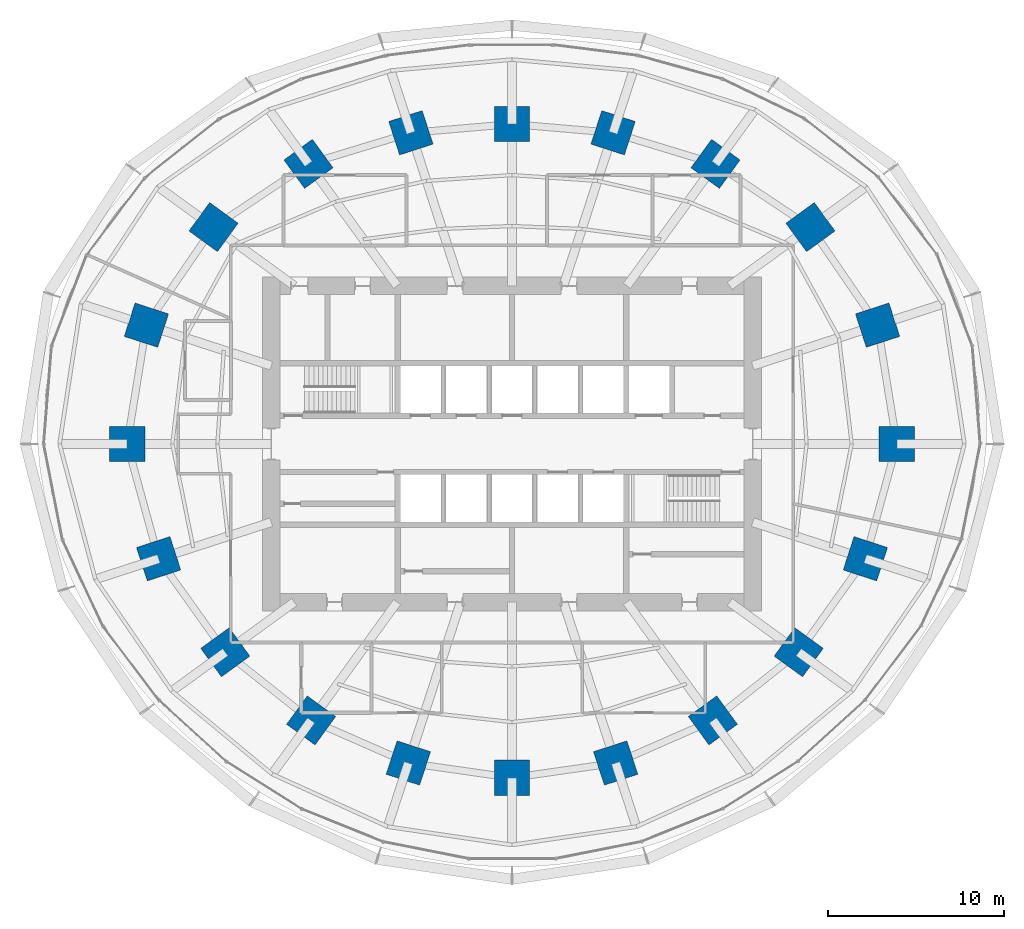
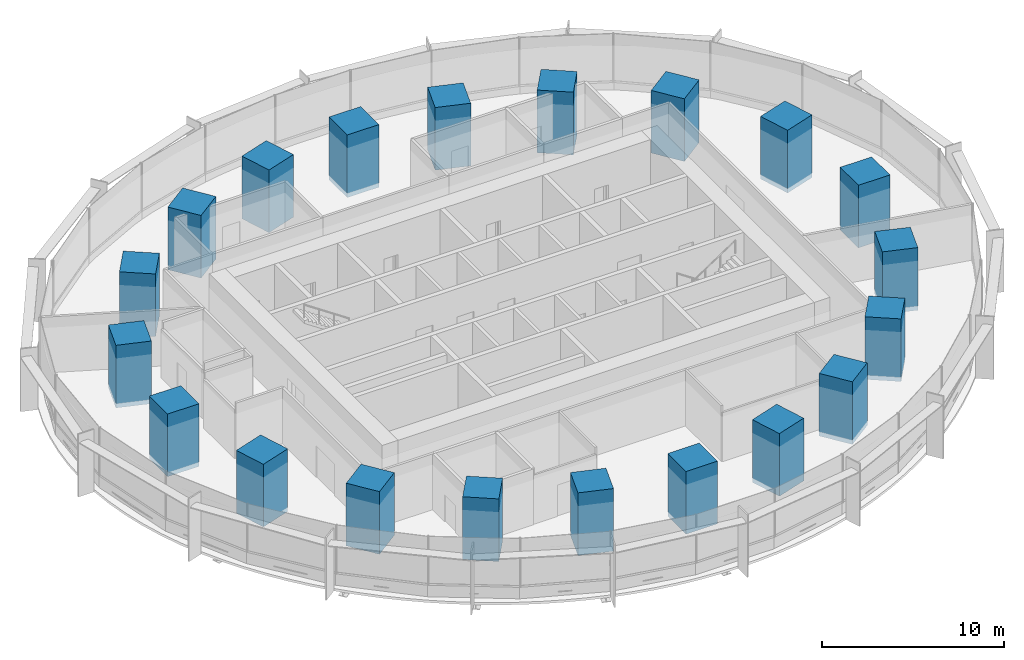
# One storey, part 1 of 15: 20 columns.
"""IFC4 building model written with IfcOpenShell, lengths in metres."""

import ifcopenshell
import ifcopenshell.guid

model = None  # the IFC model being written
_history = None  # IfcOwnerHistory: only IFC2X3 demands one
_inside = {}  # id of a spatial element -> (the spatial element, [elements in it])
_under = {}  # id of a project, library or spatial element -> (it, [spatial elements below it])
_declared = {}  # id of a project -> (the project, [libraries it declares])
_typed = {}  # id of a type object -> (the type object, [elements of that type])
_made_of = {}  # id of a material, layer set ... -> (it, [elements and type objects made of it])


def new_model(schema):
    """Start an empty IFC model of exactly this schema.

    Asked for "IFC4X3", IfcOpenShell would pick the latest addendum, in which some entities
    have other attributes; the version numbers below select the first issue.
    IFC2X3 requires an IfcOwnerHistory on every rooted entity: one is made here for all.
    """
    global model, _history
    if schema == "IFC4X3":
        model = ifcopenshell.file(schema_version=(4, 3, 0, 0))
    else:
        model = ifcopenshell.file(schema=schema)
    _inside.clear()
    _under.clear()
    _declared.clear()
    _typed.clear()
    _made_of.clear()
    _history = None
    if model.schema == "IFC2X3":
        org = make("IfcOrganization", Name="unknown")
        user = make(
            "IfcPersonAndOrganization",
            ThePerson=make("IfcPerson", FamilyName="unknown"),
            TheOrganization=org,
        )
        app = make(
            "IfcApplication",
            ApplicationDeveloper=org,
            Version="unknown",
            ApplicationFullName="unknown",
            ApplicationIdentifier="unknown",
        )
        _history = make(
            "IfcOwnerHistory",
            OwningUser=user,
            OwningApplication=app,
            ChangeAction="ADDED",
            CreationDate=0,
        )
    return model


def make(cls, **values):
    """One entity of the class cls with the attributes given. An attribute that is None is left unset."""
    return model.create_entity(
        cls, **{name: value for name, value in values.items() if value is not None}
    )


def rooted(cls, **values):
    """An entity with a GlobalId (a new one), such as an element, a storey or a relation."""
    return make(cls, GlobalId=ifcopenshell.guid.new(), OwnerHistory=_history, **values)


def si_unit(unit_type, name, prefix=None):
    """IfcSIUnit, for example si_unit("LENGTHUNIT", "METRE", prefix="MILLI")."""
    return make("IfcSIUnit", UnitType=unit_type, Prefix=prefix, Name=name)


def assignment(units):
    """IfcUnitAssignment: the units of a project."""
    return None if units is None else make("IfcUnitAssignment", Units=units)


def point(xyz):
    """IfcCartesianPoint."""
    return None if xyz is None else make("IfcCartesianPoint", Coordinates=xyz)


def direction(xyz):
    """IfcDirection."""
    return None if xyz is None else make("IfcDirection", DirectionRatios=xyz)


def frame(location, z_axis=None, x_axis=None):
    """IfcAxis2Placement3D, a coordinate frame: its origin and axes. An axis left out is left unset."""
    return make(
        "IfcAxis2Placement3D",
        Location=point(location),
        Axis=direction(z_axis),
        RefDirection=direction(x_axis),
    )


def frame_2d(location, x_axis=None):
    """IfcAxis2Placement2D, a coordinate frame in the plane: its origin and x axis."""
    return make(
        "IfcAxis2Placement2D", Location=point(location), RefDirection=direction(x_axis)
    )


def origin():
    """The frame at (0, 0, 0) with its axes left unset."""
    return frame((0.0, 0.0, 0.0))


def origin_2d():
    """The frame at (0, 0) in the plane with its x axis left unset."""
    return frame_2d((0.0, 0.0))


def place(relative_to, where):
    """IfcLocalPlacement: puts the frame where relative to a parent placement (None: the world)."""
    return make(
        "IfcLocalPlacement", PlacementRelTo=relative_to, RelativePlacement=where
    )


def context(
    kind, dimensions, precision=None, world=None, true_north=None, identifier=None
):
    """IfcGeometricRepresentationContext, for example the 3D "Model" context."""
    return make(
        "IfcGeometricRepresentationContext",
        ContextIdentifier=identifier,
        ContextType=kind,
        CoordinateSpaceDimension=dimensions,
        Precision=precision,
        WorldCoordinateSystem=world,
        TrueNorth=true_north,
    )


def subcontext(parent, identifier, kind, view, scale=None):
    """IfcGeometricRepresentationSubContext, for example "Body" below "Model"."""
    return make(
        "IfcGeometricRepresentationSubContext",
        ContextIdentifier=identifier,
        ContextType=kind,
        ParentContext=parent,
        TargetScale=scale,
        TargetView=view,
    )


def project(units=None, contexts=None):
    """IfcProject with its units and contexts."""
    return rooted(
        "IfcProject",
        Name="project",
        RepresentationContexts=contexts,
        UnitsInContext=assignment(units),
    )


def spatial(cls, under=None, at=None, **own):
    """A site, building, storey or space (cls), placed at a placement, below another one or the project."""
    s = rooted(cls, ObjectPlacement=at, **own)
    if under is not None:
        _under.setdefault(under.id(), (under, []))[1].append(s)
    return s


def profile(cls, at=None, kind="AREA", **sizes):
    """A parametric profile (cls). Its sizes go by their IFC names, for example OverallWidth=200.0."""
    return make(cls, ProfileType=kind, Position=at, **sizes)


def rectangle(**sizes):
    """IfcRectangleProfileDef."""
    return profile("IfcRectangleProfileDef", **sizes)


def extrude(swept, where, along, depth):
    """IfcExtrudedAreaSolid: the profile swept, set in the frame where, extruded along a direction by depth."""
    return make(
        "IfcExtrudedAreaSolid",
        SweptArea=swept,
        Position=where,
        ExtrudedDirection=direction(along),
        Depth=depth,
    )


def shape(context_of_items, identifier, shape_type, items):
    """IfcShapeRepresentation: the items that make up one representation, for example the "Body"."""
    return make(
        "IfcShapeRepresentation",
        ContextOfItems=context_of_items,
        RepresentationIdentifier=identifier,
        RepresentationType=shape_type,
        Items=items,
    )


def material(Name=None, Category=None):
    """IfcMaterial."""
    return make("IfcMaterial", Name=Name, Category=Category)


def material_profile(
    of_material, cross_section, Name=None, Category=None, Priority=None
):
    """IfcMaterialProfile: a cross section and its material."""
    return make(
        "IfcMaterialProfile",
        Name=Name,
        Material=of_material,
        Profile=cross_section,
        Priority=Priority,
        Category=Category,
    )


def profile_set(profiles, Name=None, composite=None):
    """IfcMaterialProfileSet."""
    return make(
        "IfcMaterialProfileSet",
        Name=Name,
        MaterialProfiles=profiles,
        CompositeProfile=composite,
    )


def made_of(thing, what):
    """Note that an element or type object is made of a material, layer set ...; save() writes the relation."""
    if what is not None:
        _made_of.setdefault(what.id(), (what, []))[1].append(thing)
    return thing


def type_object(cls, material=None, **own):
    """A type object (cls), such as IfcWallType, which elements share."""
    return made_of(rooted(cls, **own), material)


def element(
    cls,
    number,
    at=None,
    inside=None,
    cuts=None,
    type_object=None,
    material=None,
    context=None,
    identifier="Body",
    shape_type=None,
    held_by="IfcProductDefinitionShape",
    body=None,
    shapes=None,
    **own,
):
    """One element of the class cls, such as IfcWall. Its Tag is "e" and its number.

    at: its placement. inside: the storey or other place that contains it. cuts: it is an
    opening in that element (IfcRelVoidsElement). A single representation is given by context,
    identifier, shape_type and body (its items); several are given by shapes. held_by: the class
    of the entity that holds the representations. save() writes the other relations.
    """
    e = rooted(cls, Tag="e%d" % number, ObjectPlacement=at, **own)
    if body is not None:
        shapes = [shape(context, identifier, shape_type, body)]
    if shapes is not None:
        e.Representation = make(held_by, Representations=shapes)
    if inside is not None:
        _inside.setdefault(inside.id(), (inside, []))[1].append(e)
    if cuts is not None:
        rooted(
            "IfcRelVoidsElement", RelatingBuildingElement=cuts, RelatedOpeningElement=e
        )
    if type_object is not None:
        _typed.setdefault(type_object.id(), (type_object, []))[1].append(e)
    return made_of(e, material)


def aggregate(whole, parts):
    """IfcRelAggregates: a whole, such as a stair, and the parts it consists of."""
    return rooted("IfcRelAggregates", RelatingObject=whole, RelatedObjects=parts)


def save(model, path):
    """Write the relations noted so far, then the file.

    IfcRelAggregates (storeys below a building ...), IfcRelContainedInSpatialStructure (elements
    in a storey), IfcRelDefinesByType, IfcRelAssociatesMaterial and IfcRelDeclares: one each for
    every whole, place, type object, material and project.
    """
    for whole, parts in _under.values():
        aggregate(whole, parts)
    for where, things in _inside.values():
        rooted(
            "IfcRelContainedInSpatialStructure",
            RelatedElements=things,
            RelatingStructure=where,
        )
    for kind, things in _typed.values():
        rooted("IfcRelDefinesByType", RelatedObjects=things, RelatingType=kind)
    for what, things in _made_of.values():
        rooted("IfcRelAssociatesMaterial", RelatedObjects=things, RelatingMaterial=what)
    for by, libraries in _declared.values():
        rooted("IfcRelDeclares", RelatingContext=by, RelatedDefinitions=libraries)
    model.write(path)


model = new_model("IFC4")

# Units and contexts
model_context = context("Model", 3, precision=1e-05, world=origin(), true_north=direction((0.0, 1.0)))
body_context = subcontext(model_context, "Body", "Model", "MODEL_VIEW")
ifc_project = project(units=[si_unit("LENGTHUNIT", "METRE"), si_unit("AREAUNIT", "SQUARE_METRE"), si_unit("VOLUMEUNIT", "CUBIC_METRE"), si_unit("PLANEANGLEUNIT", "RADIAN"), si_unit("MASSUNIT", "GRAM", prefix="KILO")], contexts=[model_context])

# Site, building, storey
site_placement = place(None, origin())
site = spatial("IfcSite", under=ifc_project, at=site_placement, CompositionType="ELEMENT")
building_placement = place(site_placement, origin())
building = spatial("IfcBuilding", under=site, at=building_placement, Name="Marramba Exchange Tower", CompositionType="ELEMENT")
storey_placement = place(building_placement, frame((0.0, 0.0, 36.39990234375)))
storey = spatial("IfcBuildingStorey", under=building, at=storey_placement, Name="L08", CompositionType="ELEMENT", Elevation=36.39990234375)

# Columns
ifc_material = material(Name="Concrete N50", Category="concrete")
ifc_material_profile = material_profile(ifc_material, rectangle(XDim=2.0, YDim=2.0, at=origin_2d()), Name="RC 2000x2000")
ifc_profile_set = profile_set([ifc_material_profile], Name="Concrete N50")
column_type = type_object("IfcColumnType", Name="Perimeter column RC 2000x2000 N50", PredefinedType="COLUMN", material=ifc_profile_set)
for number, where, z_axis, x_axis, name in (
    (1, (21.89990234375, 0.0, 0.0), (0.0, 0.0, 1.0), (1.0, 0.0, 0.0), "Column TC01 L08"),
    (2, (20.808349609375, 6.760986328125, 0.0), (0.0, 0.0, 1.0), (0.951056516295, 0.309016994375, 0.0), "Column TC02 L08"),
    (3, (16.98583984375, 12.3408203125, 0.0), (0.0, 0.0, 1.0), (0.809016994375, 0.587785252292, 0.0), "Column TC03 L08"),
    (4, (11.581298828125, 15.9404296875, 0.0), (0.0, 0.0, 1.0), (0.587785252292, 0.809016994375, 0.0), "Column TC04 L08"),
    (5, (5.75390625, 17.70849609375, 0.0), (0.0, 0.0, 1.0), (0.309016994375, 0.951056516295, 0.0), "Column TC05 L08"),
    (6, (0.0, 18.2041015625, 0.0), (0.0, 0.0, 1.0), (0.0, 1.0, 0.0), "Column TC06 L08"),
    (7, (-5.75390625, 17.70849609375, 0.0), (0.0, 0.0, 1.0), (-0.309016994375, 0.951056516295, 0.0), "Column TC07 L08"),
    (8, (-11.581298828125, 15.9404296875, 0.0), (0.0, 0.0, 1.0), (-0.587785252292, 0.809016994375, 0.0), "Column TC08 L08"),
    (9, (-16.98583984375, 12.3408203125, 0.0), (0.0, 0.0, 1.0), (-0.809016994375, 0.587785252292, 0.0), "Column TC09 L08"),
    (10, (-20.808349609375, 6.760986328125, 0.0), (0.0, 0.0, 1.0), (-0.951056516295, 0.309016994375, 0.0), "Column TC10 L08"),
    (11, (-21.89990234375, 0.0, 0.0), (0.0, 0.0, 1.0), (-1.0, 0.0, 0.0), "Column TC11 L08"),
    (12, (-20.109375, -6.533935546875, 0.0), (0.0, 0.0, 1.0), (-0.951056516295, -0.309016994375, 0.0), "Column TC12 L08"),
    (13, (-16.3154296875, -11.853759765625, 0.0), (0.0, 0.0, 1.0), (-0.809016994375, -0.587785252292, 0.0), "Column TC13 L08"),
    (14, (-11.430419921875, -15.732666015625, 0.0), (0.0, 0.0, 1.0), (-0.587785252292, -0.809016994375, 0.0), "Column TC14 L08"),
    (15, (-5.899658203125, -18.156982421875, 0.0), (0.0, 0.0, 1.0), (-0.309016994375, -0.951056516295, 0.0), "Column TC15 L08"),
    (16, (0.0, -18.99609375, 0.0), (0.0, 0.0, 1.0), (0.0, -1.0, 0.0), "Column TC16 L08"),
    (17, (5.899658203125, -18.156982421875, 0.0), (0.0, 0.0, 1.0), (0.309016994375, -0.951056516295, 0.0), "Column TC17 L08"),
    (18, (11.430419921875, -15.732666015625, 0.0), (0.0, 0.0, 1.0), (0.587785252292, -0.809016994375, 0.0), "Column TC18 L08"),
    (19, (16.3154296875, -11.853759765625, 0.0), (0.0, 0.0, 1.0), (0.809016994375, -0.587785252292, 0.0), "Column TC19 L08"),
    (20, (20.109375, -6.533935546875, 0.0), (0.0, 0.0, 1.0), (0.951056516295, -0.309016994375, 0.0), "Column TC20 L08"),
):
    element("IfcColumn", number, at=place(storey_placement, frame(where, z_axis=z_axis, x_axis=x_axis)), inside=storey, type_object=column_type, Name=name, PredefinedType="COLUMN", context=body_context, shape_type="SweptSolid", body=[
        extrude(rectangle(XDim=2.0, YDim=2.0, at=origin_2d()), origin(), (0.0, 0.0, 1.0), 4.2001953125),
    ])

save(model, "model.ifc")
